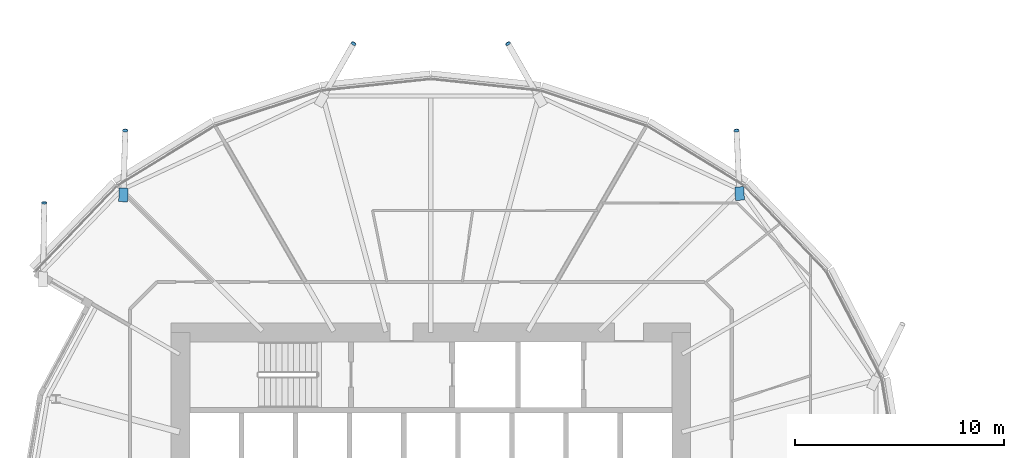
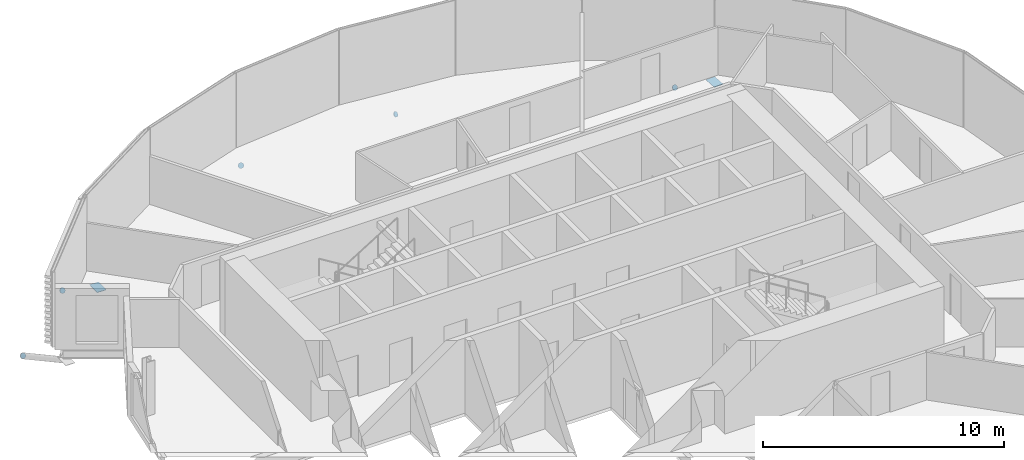
# One storey, part 30 of 38: 7 discrete accessories.
"""IFC4 building model written with IfcOpenShell, lengths in metres."""

import ifcopenshell
import ifcopenshell.guid

model = None  # the IFC model being written
_history = None  # IfcOwnerHistory: only IFC2X3 demands one
_inside = {}  # id of a spatial element -> (the spatial element, [elements in it])
_under = {}  # id of a project, library or spatial element -> (it, [spatial elements below it])
_declared = {}  # id of a project -> (the project, [libraries it declares])
_typed = {}  # id of a type object -> (the type object, [elements of that type])
_made_of = {}  # id of a material, layer set ... -> (it, [elements and type objects made of it])


def new_model(schema):
    """Start an empty IFC model of exactly this schema.

    Asked for "IFC4X3", IfcOpenShell would pick the latest addendum, in which some entities
    have other attributes; the version numbers below select the first issue.
    IFC2X3 requires an IfcOwnerHistory on every rooted entity: one is made here for all.
    """
    global model, _history
    if schema == "IFC4X3":
        model = ifcopenshell.file(schema_version=(4, 3, 0, 0))
    else:
        model = ifcopenshell.file(schema=schema)
    _inside.clear()
    _under.clear()
    _declared.clear()
    _typed.clear()
    _made_of.clear()
    _history = None
    if model.schema == "IFC2X3":
        org = make("IfcOrganization", Name="unknown")
        user = make(
            "IfcPersonAndOrganization",
            ThePerson=make("IfcPerson", FamilyName="unknown"),
            TheOrganization=org,
        )
        app = make(
            "IfcApplication",
            ApplicationDeveloper=org,
            Version="unknown",
            ApplicationFullName="unknown",
            ApplicationIdentifier="unknown",
        )
        _history = make(
            "IfcOwnerHistory",
            OwningUser=user,
            OwningApplication=app,
            ChangeAction="ADDED",
            CreationDate=0,
        )
    return model


def make(cls, **values):
    """One entity of the class cls with the attributes given. An attribute that is None is left unset."""
    return model.create_entity(
        cls, **{name: value for name, value in values.items() if value is not None}
    )


def rooted(cls, **values):
    """An entity with a GlobalId (a new one), such as an element, a storey or a relation."""
    return make(cls, GlobalId=ifcopenshell.guid.new(), OwnerHistory=_history, **values)


def si_unit(unit_type, name, prefix=None):
    """IfcSIUnit, for example si_unit("LENGTHUNIT", "METRE", prefix="MILLI")."""
    return make("IfcSIUnit", UnitType=unit_type, Prefix=prefix, Name=name)


def assignment(units):
    """IfcUnitAssignment: the units of a project."""
    return None if units is None else make("IfcUnitAssignment", Units=units)


def point(xyz):
    """IfcCartesianPoint."""
    return None if xyz is None else make("IfcCartesianPoint", Coordinates=xyz)


def direction(xyz):
    """IfcDirection."""
    return None if xyz is None else make("IfcDirection", DirectionRatios=xyz)


def frame(location, z_axis=None, x_axis=None):
    """IfcAxis2Placement3D, a coordinate frame: its origin and axes. An axis left out is left unset."""
    return make(
        "IfcAxis2Placement3D",
        Location=point(location),
        Axis=direction(z_axis),
        RefDirection=direction(x_axis),
    )


def frame_2d(location, x_axis=None):
    """IfcAxis2Placement2D, a coordinate frame in the plane: its origin and x axis."""
    return make(
        "IfcAxis2Placement2D", Location=point(location), RefDirection=direction(x_axis)
    )


def origin():
    """The frame at (0, 0, 0) with its axes left unset."""
    return frame((0.0, 0.0, 0.0))


def origin_2d():
    """The frame at (0, 0) in the plane with its x axis left unset."""
    return frame_2d((0.0, 0.0))


def place(relative_to, where):
    """IfcLocalPlacement: puts the frame where relative to a parent placement (None: the world)."""
    return make(
        "IfcLocalPlacement", PlacementRelTo=relative_to, RelativePlacement=where
    )


def context(
    kind, dimensions, precision=None, world=None, true_north=None, identifier=None
):
    """IfcGeometricRepresentationContext, for example the 3D "Model" context."""
    return make(
        "IfcGeometricRepresentationContext",
        ContextIdentifier=identifier,
        ContextType=kind,
        CoordinateSpaceDimension=dimensions,
        Precision=precision,
        WorldCoordinateSystem=world,
        TrueNorth=true_north,
    )


def subcontext(parent, identifier, kind, view, scale=None):
    """IfcGeometricRepresentationSubContext, for example "Body" below "Model"."""
    return make(
        "IfcGeometricRepresentationSubContext",
        ContextIdentifier=identifier,
        ContextType=kind,
        ParentContext=parent,
        TargetScale=scale,
        TargetView=view,
    )


def project(units=None, contexts=None):
    """IfcProject with its units and contexts."""
    return rooted(
        "IfcProject",
        Name="project",
        RepresentationContexts=contexts,
        UnitsInContext=assignment(units),
    )


def spatial(cls, under=None, at=None, **own):
    """A site, building, storey or space (cls), placed at a placement, below another one or the project."""
    s = rooted(cls, ObjectPlacement=at, **own)
    if under is not None:
        _under.setdefault(under.id(), (under, []))[1].append(s)
    return s


def polyline(points):
    """IfcPolyline through the points."""
    return make("IfcPolyline", Points=[point(p) for p in points])


def profile(cls, at=None, kind="AREA", **sizes):
    """A parametric profile (cls). Its sizes go by their IFC names, for example OverallWidth=200.0."""
    return make(cls, ProfileType=kind, Position=at, **sizes)


def rectangle(**sizes):
    """IfcRectangleProfileDef."""
    return profile("IfcRectangleProfileDef", **sizes)


def circle(**sizes):
    """IfcCircleProfileDef."""
    return profile("IfcCircleProfileDef", **sizes)


def outline(outer, holes=None, kind="AREA"):
    """IfcArbitraryClosedProfileDef: a profile drawn as a closed curve; with holes, ...WithVoids."""
    if holes is None:
        return make("IfcArbitraryClosedProfileDef", ProfileType=kind, OuterCurve=outer)
    return make(
        "IfcArbitraryProfileDefWithVoids",
        ProfileType=kind,
        OuterCurve=outer,
        InnerCurves=holes,
    )


def extrude(swept, where, along, depth):
    """IfcExtrudedAreaSolid: the profile swept, set in the frame where, extruded along a direction by depth."""
    return make(
        "IfcExtrudedAreaSolid",
        SweptArea=swept,
        Position=where,
        ExtrudedDirection=direction(along),
        Depth=depth,
    )


def shape(context_of_items, identifier, shape_type, items):
    """IfcShapeRepresentation: the items that make up one representation, for example the "Body"."""
    return make(
        "IfcShapeRepresentation",
        ContextOfItems=context_of_items,
        RepresentationIdentifier=identifier,
        RepresentationType=shape_type,
        Items=items,
    )


def material(Name=None, Category=None):
    """IfcMaterial."""
    return make("IfcMaterial", Name=Name, Category=Category)


def material_profile(
    of_material, cross_section, Name=None, Category=None, Priority=None
):
    """IfcMaterialProfile: a cross section and its material."""
    return make(
        "IfcMaterialProfile",
        Name=Name,
        Material=of_material,
        Profile=cross_section,
        Priority=Priority,
        Category=Category,
    )


def profile_set(profiles, Name=None, composite=None):
    """IfcMaterialProfileSet."""
    return make(
        "IfcMaterialProfileSet",
        Name=Name,
        MaterialProfiles=profiles,
        CompositeProfile=composite,
    )


def made_of(thing, what):
    """Note that an element or type object is made of a material, layer set ...; save() writes the relation."""
    if what is not None:
        _made_of.setdefault(what.id(), (what, []))[1].append(thing)
    return thing


def type_object(cls, material=None, **own):
    """A type object (cls), such as IfcWallType, which elements share."""
    return made_of(rooted(cls, **own), material)


def element(
    cls,
    number,
    at=None,
    inside=None,
    cuts=None,
    type_object=None,
    material=None,
    context=None,
    identifier="Body",
    shape_type=None,
    held_by="IfcProductDefinitionShape",
    body=None,
    shapes=None,
    **own,
):
    """One element of the class cls, such as IfcWall. Its Tag is "e" and its number.

    at: its placement. inside: the storey or other place that contains it. cuts: it is an
    opening in that element (IfcRelVoidsElement). A single representation is given by context,
    identifier, shape_type and body (its items); several are given by shapes. held_by: the class
    of the entity that holds the representations. save() writes the other relations.
    """
    e = rooted(cls, Tag="e%d" % number, ObjectPlacement=at, **own)
    if body is not None:
        shapes = [shape(context, identifier, shape_type, body)]
    if shapes is not None:
        e.Representation = make(held_by, Representations=shapes)
    if inside is not None:
        _inside.setdefault(inside.id(), (inside, []))[1].append(e)
    if cuts is not None:
        rooted(
            "IfcRelVoidsElement", RelatingBuildingElement=cuts, RelatedOpeningElement=e
        )
    if type_object is not None:
        _typed.setdefault(type_object.id(), (type_object, []))[1].append(e)
    return made_of(e, material)


def aggregate(whole, parts):
    """IfcRelAggregates: a whole, such as a stair, and the parts it consists of."""
    return rooted("IfcRelAggregates", RelatingObject=whole, RelatedObjects=parts)


def save(model, path):
    """Write the relations noted so far, then the file.

    IfcRelAggregates (storeys below a building ...), IfcRelContainedInSpatialStructure (elements
    in a storey), IfcRelDefinesByType, IfcRelAssociatesMaterial and IfcRelDeclares: one each for
    every whole, place, type object, material and project.
    """
    for whole, parts in _under.values():
        aggregate(whole, parts)
    for where, things in _inside.values():
        rooted(
            "IfcRelContainedInSpatialStructure",
            RelatedElements=things,
            RelatingStructure=where,
        )
    for kind, things in _typed.values():
        rooted("IfcRelDefinesByType", RelatedObjects=things, RelatingType=kind)
    for what, things in _made_of.values():
        rooted("IfcRelAssociatesMaterial", RelatedObjects=things, RelatingMaterial=what)
    for by, libraries in _declared.values():
        rooted("IfcRelDeclares", RelatingContext=by, RelatedDefinitions=libraries)
    model.write(path)


model = new_model("IFC4")

# Units and contexts
model_context = context("Model", 3, precision=1e-05, world=origin(), true_north=direction((0.0, 1.0)))
body_context = subcontext(model_context, "Body", "Model", "MODEL_VIEW")
ifc_project = project(units=[si_unit("LENGTHUNIT", "METRE"), si_unit("AREAUNIT", "SQUARE_METRE"), si_unit("VOLUMEUNIT", "CUBIC_METRE"), si_unit("PLANEANGLEUNIT", "RADIAN"), si_unit("MASSUNIT", "GRAM", prefix="KILO")], contexts=[model_context])

# Site, building, storey
site_placement = place(None, origin())
site = spatial("IfcSite", under=ifc_project, at=site_placement, CompositionType="ELEMENT")
building_placement = place(site_placement, origin())
building = spatial("IfcBuilding", under=site, at=building_placement, Name="Rimbun Link Towers", CompositionType="ELEMENT")
storey_placement = place(building_placement, frame((0.0, 0.0, 49.0)))
storey = spatial("IfcBuildingStorey", under=building, at=storey_placement, Name="L11", CompositionType="ELEMENT", Elevation=49.0)

# Discrete accessories
ifc_material_1 = material(Name="Steel S355J2H", Category="steel")
ifc_material_profile_1 = material_profile(ifc_material_1, circle(Radius=0.1240234375, at=origin_2d()), Name="PL D248")
ifc_profile_set_1 = profile_set([ifc_material_profile_1], Name="Steel S355J2H")
discrete_accessory_type_1 = type_object("IfcDiscreteAccessoryType", Name="Link foot sealing plate D248X20", PredefinedType="BRACKET", material=ifc_profile_set_1)
for number, where, z_axis, x_axis, name in (
    (1, (-17.095458984375, 17.673095703125, -2.75732421875), (-0.03651754227, 0.827730958128, -0.559935648145), (-0.999028234938, -0.044074775071, 0.0), "Link foot sealing plate T1 L11 03"),
    (2, (-28.04541015625, 21.8408203125, -2.801513671875), (-0.416559077473, 0.722852516792, -0.551328190774), (-0.866429964967, -0.499298623879, 0.0), "Link foot sealing plate T1 L11 05"),
    (3, (-35.45458984375, 21.8408203125, -2.801513671875), (0.416559077473, 0.722852516792, -0.551328190774), (-0.866429964967, 0.499298623879, 0.0), "Link foot sealing plate T1 L11 07"),
    (4, (-46.396728515625, 17.6748046875, -2.763671875), (0.024520043366, 0.83368147445, -0.551700975739), (-0.999567754464, 0.029399051602, 0.0), "Link foot sealing plate T1 L11 09"),
    (5, (-50.282470703125, 14.205322265625, -2.603515625), (0.012140178547, 0.874092855378, -0.485607141877), (-0.999903563335, 0.013887549491, 0.0), "Link foot sealing plate T1 L11 10"),
):
    element("IfcDiscreteAccessory", number, at=place(storey_placement, frame(where, z_axis=z_axis, x_axis=x_axis)), inside=storey, type_object=discrete_accessory_type_1, Name=name, PredefinedType="BRACKET", context=body_context, shape_type="SweptSolid", body=[
        extrude(circle(Radius=0.1240234375, at=origin_2d()), origin(), (0.0, 0.0, 1.0), 0.02001953125),
    ])
ifc_material_2 = material(Name="Steel S355J2H", Category="steel")
ifc_material_profile_2 = material_profile(ifc_material_2, rectangle(XDim=0.43310546875, YDim=0.43310546875, at=origin_2d()), Name="PL 433x433")
ifc_profile_set_2 = profile_set([ifc_material_profile_2], Name="Steel S355J2H")
discrete_accessory_type_2 = type_object("IfcDiscreteAccessoryType", Name="Link head end plate 433X20", PredefinedType="BRACKET", material=ifc_profile_set_2)
discrete_accessory_1_placement = place(storey_placement, frame((0.0, 0.0, -0.713134765625)))
element("IfcDiscreteAccessory", 6, at=discrete_accessory_1_placement, inside=storey, type_object=discrete_accessory_type_2, Name="Link head end plate T1 L11 03", PredefinedType="BRACKET", context=body_context, shape_type="SweptSolid", body=[
    extrude(outline(polyline([(-16.715087890625, 14.34619140625), (-16.746826171875, 14.9921875), (-17.17919921875, 14.970947265625), (-17.1474609375, 14.324951171875), (-16.715087890625, 14.34619140625)])), origin(), (0.0, 0.0, 1.0), 0.02001953125),
])
discrete_accessory_2_placement = place(storey_placement, frame((0.0, 0.0, -0.713134765625)))
element("IfcDiscreteAccessory", 7, at=discrete_accessory_2_placement, inside=storey, type_object=discrete_accessory_type_2, Name="Link head end plate T1 L11 09", PredefinedType="BRACKET", context=body_context, shape_type="SweptSolid", body=[
    extrude(outline(polyline([(-46.27978515625, 14.258544921875), (-46.2607421875, 14.911376953125), (-46.693603515625, 14.924072265625), (-46.71240234375, 14.271240234375), (-46.27978515625, 14.258544921875)])), origin(), (0.0, 0.0, 1.0), 0.02001953125),
])

save(model, "model.ifc")
